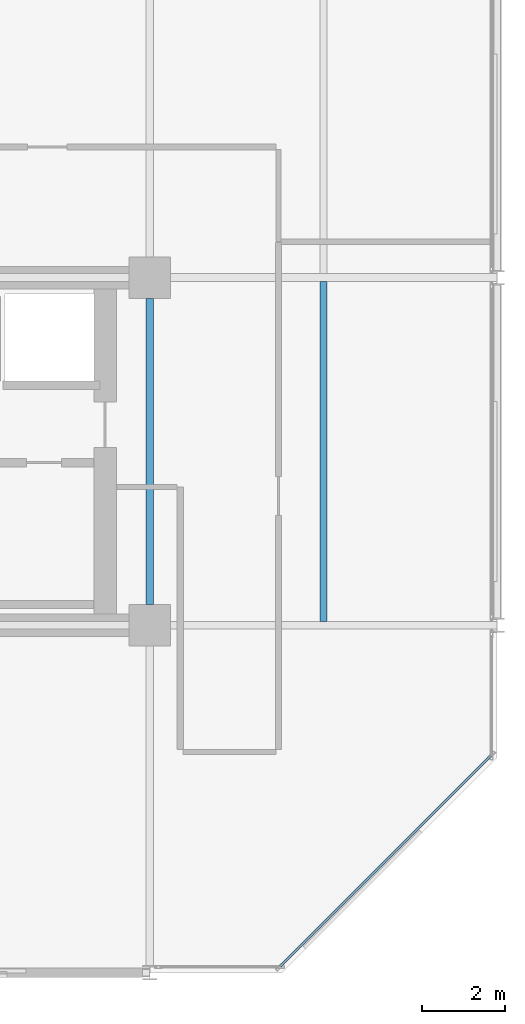
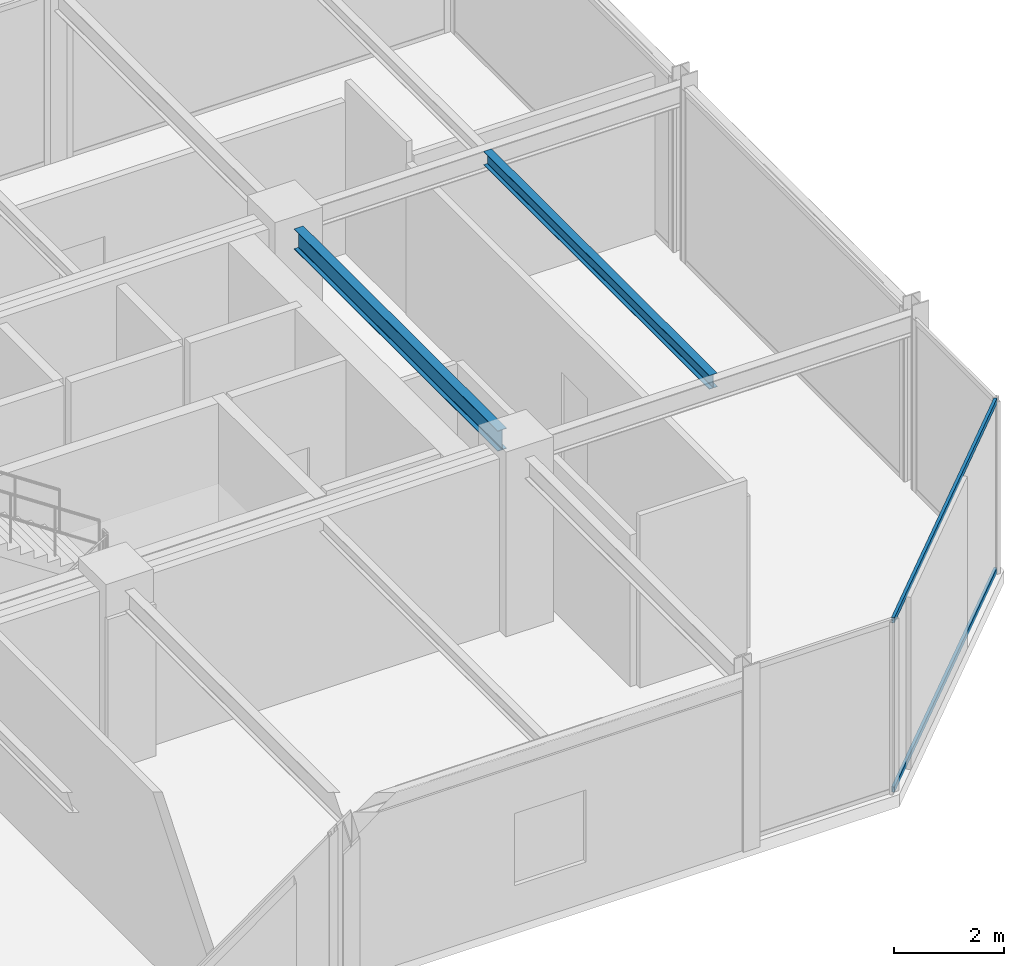
# One storey, part 12 of 29: 2 beams, 2 members, 1 element without a shape of its own.
"""IFC4 building model written with IfcOpenShell, lengths in metres."""

from ifc_helpers import new_model, si_unit, direction, frame, origin, origin_2d, place, context, subcontext, project, spatial, hollow_rectangle, i_section, extrude, material, layer, layer_set, material_profile, profile_set, type_object, element, aggregate, save


model = new_model("IFC4")

# Units and contexts
model_context = context("Model", 3, precision=1e-05, world=origin(), true_north=direction((0.0, 1.0)))
body_context = subcontext(model_context, "Body", "Model", "MODEL_VIEW")
ifc_project = project(units=[si_unit("LENGTHUNIT", "METRE"), si_unit("AREAUNIT", "SQUARE_METRE"), si_unit("VOLUMEUNIT", "CUBIC_METRE"), si_unit("PLANEANGLEUNIT", "RADIAN"), si_unit("MASSUNIT", "GRAM", prefix="KILO")], contexts=[model_context])

# Site, building, storey
site_placement = place(None, origin())
site = spatial("IfcSite", under=ifc_project, at=site_placement, CompositionType="ELEMENT")
building_placement = place(site_placement, origin())
building = spatial("IfcBuilding", under=site, at=building_placement, Name="Nerrivon Quay Data Exchange", CompositionType="ELEMENT")
storey_placement = place(building_placement, frame((0.0, 0.0, 196.0)))
storey = spatial("IfcBuildingStorey", under=building, at=storey_placement, Name="L46", CompositionType="ELEMENT", Elevation=196.0)

# Beams
ifc_material_1 = material(Name="Steel Grade 350", Category="steel")
ifc_material_profile_1 = material_profile(ifc_material_1, i_section(OverallWidth=0.18994140625, OverallDepth=0.4541015625, WebThickness=0.008544921875, FlangeThickness=0.0126953125, FilletRadius=0.011474609375, at=origin_2d()), Name="460UB67.1")
ifc_profile_set_1 = profile_set([ifc_material_profile_1], Name="Steel Grade 350")
beam_type_1 = type_object("IfcBeamType", Name="BM-G6-460UB67", PredefinedType="BEAM", material=ifc_profile_set_1)
beam_1_placement = place(storey_placement, frame((33.60009765625, 8.89990234375, 3.597900390625), z_axis=(0.0, 1.0, 0.0), x_axis=(-1.0, 0.0, 0.0)))
element("IfcBeam", 1, at=beam_1_placement, inside=storey, type_object=beam_type_1, Name="L46 NS Girder X=33.6 (8.4..16.8)", PredefinedType="BEAM", context=body_context, shape_type="SweptSolid", body=[
    extrude(i_section(OverallWidth=0.18994140625, OverallDepth=0.4541015625, WebThickness=0.008544921875, FlangeThickness=0.0126953125, FilletRadius=0.011474609375, at=origin_2d()), origin(), (0.0, 0.0, 1.0), 7.400146484375),
])
ifc_material_profile_2 = material_profile(ifc_material_1, i_section(OverallWidth=0.166015625, OverallDepth=0.306884765625, WebThickness=0.006591796875, FlangeThickness=0.01171875, FilletRadius=0.011474609375, at=origin_2d()), Name="310UB46.2")
ifc_profile_set_2 = profile_set([ifc_material_profile_2], Name="Steel Grade 350")
beam_type_2 = type_object("IfcBeamType", Name="BM-J5-310UB46", PredefinedType="JOIST", material=ifc_profile_set_2)
beam_2_placement = place(storey_placement, frame((37.800048828125, 8.49560546875, 3.67138671875), z_axis=(0.0, 1.0, 0.0), x_axis=(-1.0, 0.0, 0.0)))
element("IfcBeam", 2, at=beam_2_placement, inside=storey, type_object=beam_type_2, Name="L46 Secondary Joist X=37.8 (8.4..16.8)", PredefinedType="JOIST", context=body_context, shape_type="SweptSolid", body=[
    extrude(i_section(OverallWidth=0.166015625, OverallDepth=0.306884765625, WebThickness=0.006591796875, FlangeThickness=0.01171875, FilletRadius=0.011474609375, at=origin_2d()), origin(), (0.0, 0.0, 1.0), 8.208984375),
])

# Curtain wall, members
ifc_material_2 = material(Name="Anodised aluminium 6063-T6", Category="aluminium")
ifc_layer = layer(ifc_material_2, 0.195068359375)
ifc_layer_set = layer_set([ifc_layer], Name="Anodised aluminium 6063-T6")
curtain_wall_type = type_object("IfcCurtainWallType", Name="CW-SYS-06", PredefinedType="NOTDEFINED", material=ifc_layer_set)
curtain_wall_placement = place(storey_placement, origin())
curtain_wall = element("IfcCurtainWall", 3, at=curtain_wall_placement, inside=storey, type_object=curtain_wall_type, Name="L46 Unitised Curtain Wall 21", PredefinedType="NOTDEFINED")
ifc_material_profile_3 = material_profile(ifc_material_2, hollow_rectangle(XDim=0.06005859375, YDim=0.1201171875, WallThickness=0.003173828125, at=origin_2d()), Name="ALU-TRAN-120x60")
ifc_profile_set_3 = profile_set([ifc_material_profile_3], Name="Anodised aluminium 6063-T6")
member_type = type_object("IfcMemberType", Name="CWT-120x60", PredefinedType="USERDEFINED", material=ifc_profile_set_3)
member_1_placement = place(storey_placement, frame((41.847900390625, 5.245849609375, 0.032470703125), z_axis=(-0.707106781187, -0.707106781187, 0.0), x_axis=(0.707106781187, -0.707106781187, 0.0)))
member_1 = element("IfcMember", 4, at=member_1_placement, type_object=member_type, Name="CW06 transom 1.1", ObjectType="TRANSOM", PredefinedType="USERDEFINED", context=body_context, shape_type="SweptSolid", body=[
    extrude(hollow_rectangle(XDim=0.06005859375, YDim=0.1201171875, WallThickness=0.003173828125, at=origin_2d()), origin(), (0.0, 0.0, 1.0), 7.20361328125),
])
member_2_placement = place(storey_placement, frame((41.847900390625, 5.245849609375, 3.79248046875), z_axis=(-0.707106781187, -0.707106781187, 0.0), x_axis=(0.707106781187, -0.707106781187, 0.0)))
member_2 = element("IfcMember", 5, at=member_2_placement, type_object=member_type, Name="CW06 transom 1.2", ObjectType="TRANSOM", PredefinedType="USERDEFINED", context=body_context, shape_type="SweptSolid", body=[
    extrude(hollow_rectangle(XDim=0.06005859375, YDim=0.1201171875, WallThickness=0.003173828125, at=origin_2d()), origin(), (0.0, 0.0, 1.0), 7.20361328125),
])
aggregate(curtain_wall, [member_1, member_2])

save(model, "model.ifc")
